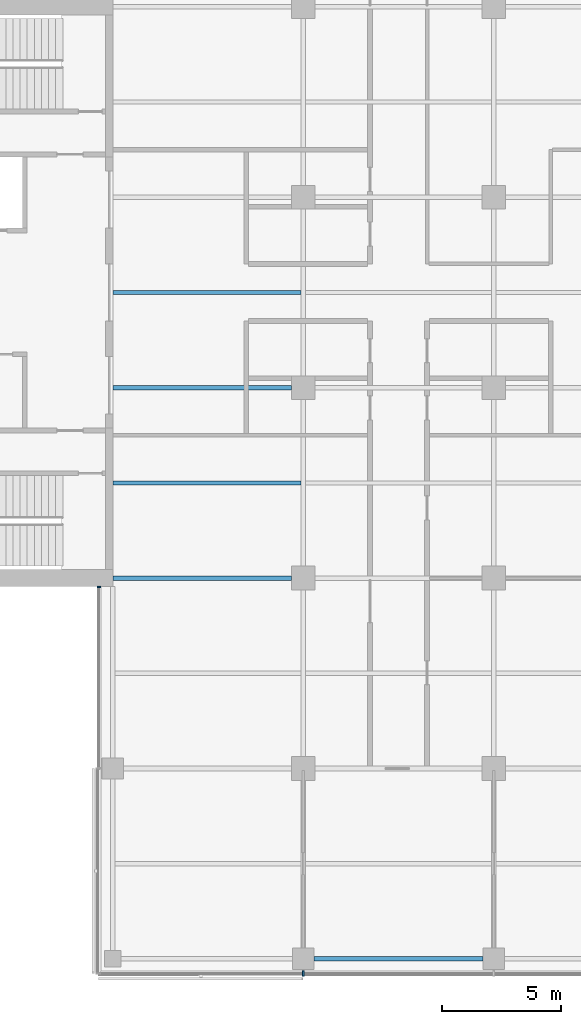
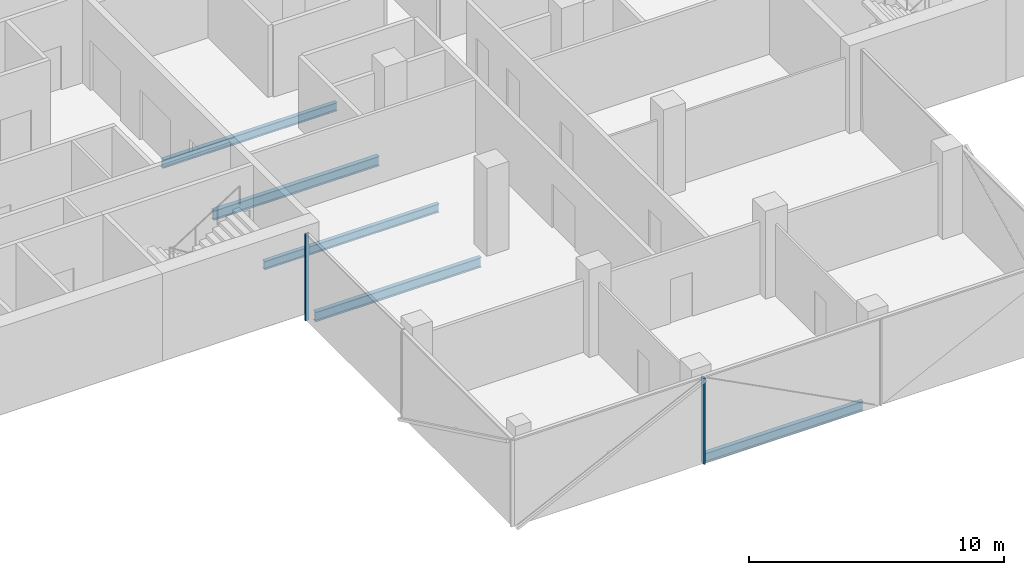
# One storey, part 4 of 22: 5 beams, 2 members, 2 elements without a shape of their own.
"""IFC4 building model written with IfcOpenShell, lengths in metres."""

from ifc_helpers import new_model, si_unit, direction, frame, origin, origin_2d, place, context, subcontext, project, spatial, rectangle, i_section, extrude, material, material_profile, profile_set, type_object, element, aggregate, save


model = new_model("IFC4")

# Units and contexts
model_context = context("Model", 3, precision=1e-05, world=origin(), true_north=direction((0.0, 1.0)))
body_context = subcontext(model_context, "Body", "Model", "MODEL_VIEW")
ifc_project = project(units=[si_unit("LENGTHUNIT", "METRE"), si_unit("AREAUNIT", "SQUARE_METRE"), si_unit("VOLUMEUNIT", "CUBIC_METRE"), si_unit("PLANEANGLEUNIT", "RADIAN"), si_unit("MASSUNIT", "GRAM", prefix="KILO")], contexts=[model_context])

# Site, building, storey
site_placement = place(None, origin())
site = spatial("IfcSite", under=ifc_project, at=site_placement, CompositionType="ELEMENT")
building_placement = place(site_placement, origin())
building = spatial("IfcBuilding", under=site, at=building_placement, Name="Crosswind Convention Tower", CompositionType="ELEMENT")
storey_placement = place(building_placement, frame((0.0, 0.0, 125.300048828125)))
storey = spatial("IfcBuildingStorey", under=building, at=storey_placement, Name="L25", CompositionType="ELEMENT", Elevation=125.300048828125)

# Beams
ifc_material_1 = material(Name="Steel S355", Category="steel")
ifc_material_profile_1 = material_profile(ifc_material_1, i_section(OverallWidth=0.18994140625, OverallDepth=0.45361328125, WebThickness=0.008544921875, FlangeThickness=0.0126953125, FilletRadius=0.01025390625, at=origin_2d()), Name="UB 457x191x67")
ifc_profile_set_1 = profile_set([ifc_material_profile_1], Name="Steel S355")
beam_type_1 = type_object("IfcBeamType", Name="Edge beam UB 457x191x67", PredefinedType="SPANDREL", material=ifc_profile_set_1)
beam_placement = place(storey_placement, frame((121.449951171875, 72.0, -0.52685546875), z_axis=(1.0, 0.0, 0.0), x_axis=(0.0, 1.0, 0.0)))
element("IfcBeam", 1, at=beam_placement, inside=storey, type_object=beam_type_1, Name="B16 L25 edge beam 12", PredefinedType="SPANDREL", context=body_context, shape_type="SweptSolid", body=[
    extrude(i_section(OverallWidth=0.18994140625, OverallDepth=0.45361328125, WebThickness=0.008544921875, FlangeThickness=0.0126953125, FilletRadius=0.01025390625, at=origin_2d()), origin(), (0.0, 0.0, 1.0), 7.10009765625),
])
ifc_material_profile_2 = material_profile(ifc_material_1, i_section(OverallWidth=0.19189453125, OverallDepth=0.463623046875, WebThickness=0.010498046875, FlangeThickness=0.017578125, FilletRadius=0.01025390625, at=origin_2d()), Name="UB 457x191x90")
ifc_profile_set_2 = profile_set([ifc_material_profile_2], Name="Steel S355")
beam_type_2 = type_object("IfcBeamType", Name="Girder at core wall UB 457x191x90", PredefinedType="BEAM", material=ifc_profile_set_2)
for number, where, z_axis, x_axis, name in (
    (2, (113.0, 88.0, -0.53173828125), (1.0, 0.0, 0.0), (0.0, 1.0, 0.0), "B24 L25 girder at core wall 3"),
    (3, (113.0, 96.0, -0.53173828125), (1.0, 0.0, 0.0), (0.0, 1.0, 0.0), "B24 L25 girder at core wall 4"),
):
    element("IfcBeam", number, at=place(storey_placement, frame(where, z_axis=z_axis, x_axis=x_axis)), inside=storey, type_object=beam_type_2, Name=name, PredefinedType="BEAM", context=body_context, shape_type="SweptSolid", body=[
        extrude(i_section(OverallWidth=0.19189453125, OverallDepth=0.463623046875, WebThickness=0.010498046875, FlangeThickness=0.017578125, FilletRadius=0.01025390625, at=origin_2d()), origin(), (0.0, 0.0, 1.0), 7.5),
    ])

# Curtain wall, member
ifc_material_2 = material(Name="Aluminium unitised curtain wall", Category="aluminium")
curtain_wall_type_1 = type_object("IfcCurtainWallType", Name="CORE END SLOT WALL 160", PredefinedType="USERDEFINED", material=ifc_material_2)
curtain_wall_1_placement = place(storey_placement, origin())
curtain_wall_1 = element("IfcCurtainWall", 4, at=curtain_wall_1_placement, inside=storey, type_object=curtain_wall_type_1, Name="CW6 L25 S-W.1-1 slot", ObjectType="UNITISED", PredefinedType="USERDEFINED")
ifc_material_3 = material(Name="Aluminium mullion", Category="aluminium")
ifc_material_profile_3 = material_profile(ifc_material_3, rectangle(XDim=0.159912109375, YDim=0.050048828125, at=origin_2d()), Name="AL 160X50")
ifc_profile_set_3 = profile_set([ifc_material_profile_3], Name="Aluminium mullion")
member_type_1 = type_object("IfcMemberType", Name="MULLION 50X160", PredefinedType="MULLION", material=ifc_profile_set_3)
member_1_placement = place(storey_placement, frame((112.419921875, 87.625, -0.300048828125), z_axis=(0.0, 0.0, 1.0), x_axis=(-1.0, 0.0, 0.0)))
member_1 = element("IfcMember", 5, at=member_1_placement, type_object=member_type_1, Name="CW6 mullion 1", PredefinedType="MULLION", context=body_context, shape_type="SweptSolid", body=[
    extrude(rectangle(XDim=0.159912109375, YDim=0.050048828125, at=origin_2d()), origin(), (0.0, 0.0, 1.0), 4.14990234375),
])
aggregate(curtain_wall_1, [member_1])

curtain_wall_type_2 = type_object("IfcCurtainWallType", Name="OFFICE UNITISED WALL 220", PredefinedType="USERDEFINED", material=ifc_material_2)
curtain_wall_2_placement = place(storey_placement, origin())
curtain_wall_2 = element("IfcCurtainWall", 6, at=curtain_wall_2_placement, inside=storey, type_object=curtain_wall_type_2, Name="CW3 L25 S-TIP 1", ObjectType="UNITISED", PredefinedType="USERDEFINED")
ifc_material_profile_4 = material_profile(ifc_material_3, rectangle(XDim=0.219970703125, YDim=0.070068359375, at=origin_2d()), Name="AL 220X70")
ifc_profile_set_4 = profile_set([ifc_material_profile_4], Name="Aluminium mullion")
member_type_2 = type_object("IfcMemberType", Name="MULLION 70X220", PredefinedType="MULLION", material=ifc_profile_set_4)
member_2_placement = place(storey_placement, frame((121.0, 71.389892578125, -0.300048828125), z_axis=(0.0, 0.0, 1.0), x_axis=(0.0, -1.0, 0.0)))
member_2 = element("IfcMember", 7, at=member_2_placement, type_object=member_type_2, Name="CW3 mullion 2", PredefinedType="MULLION", context=body_context, shape_type="SweptSolid", body=[
    extrude(rectangle(XDim=0.219970703125, YDim=0.070068359375, at=origin_2d()), origin(), (0.0, 0.0, 1.0), 4.1298828125),
])
aggregate(curtain_wall_2, [member_2])

# Beams
ifc_material_profile_5 = material_profile(ifc_material_1, i_section(OverallWidth=0.177734375, OverallDepth=0.406494140625, WebThickness=0.0078125, FlangeThickness=0.0126953125, FilletRadius=0.01025390625, at=origin_2d()), Name="UB 406x178x60")
ifc_profile_set_5 = profile_set([ifc_material_profile_5], Name="Steel S355")
beam_type_3 = type_object("IfcBeamType", Name="Secondary beam UB 406x178x60", PredefinedType="JOIST", material=ifc_profile_set_5)
for number, where, z_axis, x_axis, name in (
    (8, (113.0, 92.0, -0.503173828125), (1.0, 0.0, 0.0), (0.0, 1.0, 0.0), "B10 L25 secondary beam 4"),
    (9, (113.0, 100.0, -0.503173828125), (1.0, 0.0, 0.0), (0.0, 1.0, 0.0), "B10 L25 secondary beam 5"),
):
    element("IfcBeam", number, at=place(storey_placement, frame(where, z_axis=z_axis, x_axis=x_axis)), inside=storey, type_object=beam_type_3, Name=name, PredefinedType="JOIST", context=body_context, shape_type="SweptSolid", body=[
        extrude(i_section(OverallWidth=0.177734375, OverallDepth=0.406494140625, WebThickness=0.0078125, FlangeThickness=0.0126953125, FilletRadius=0.01025390625, at=origin_2d()), origin(), (0.0, 0.0, 1.0), 7.904296875),
    ])

save(model, "model.ifc")
